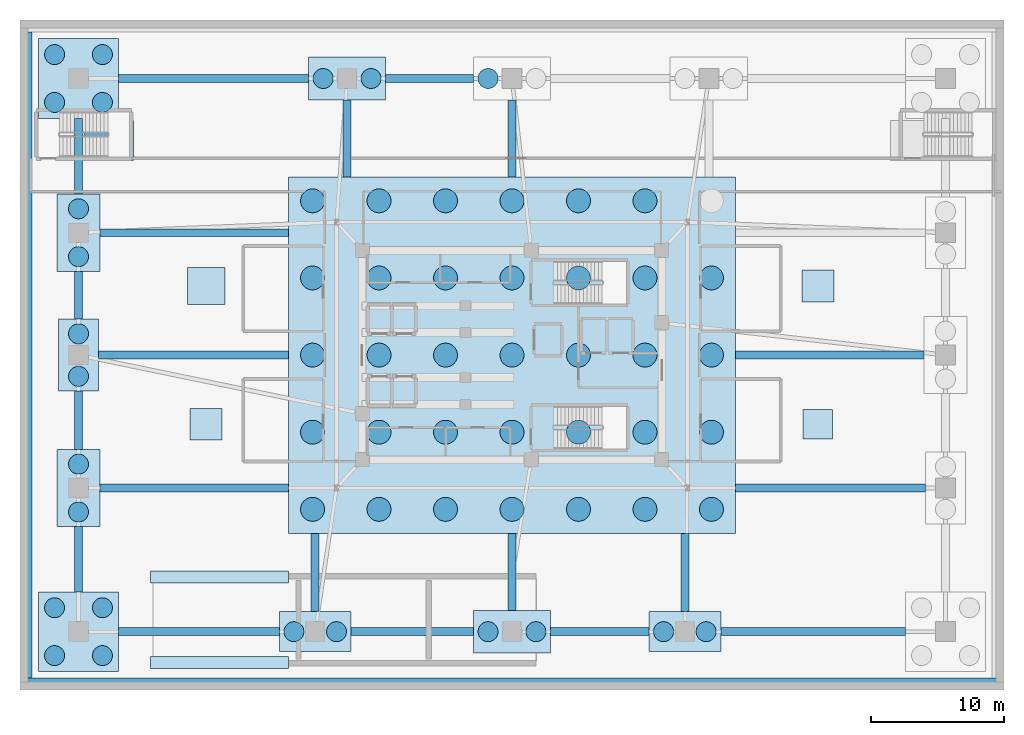
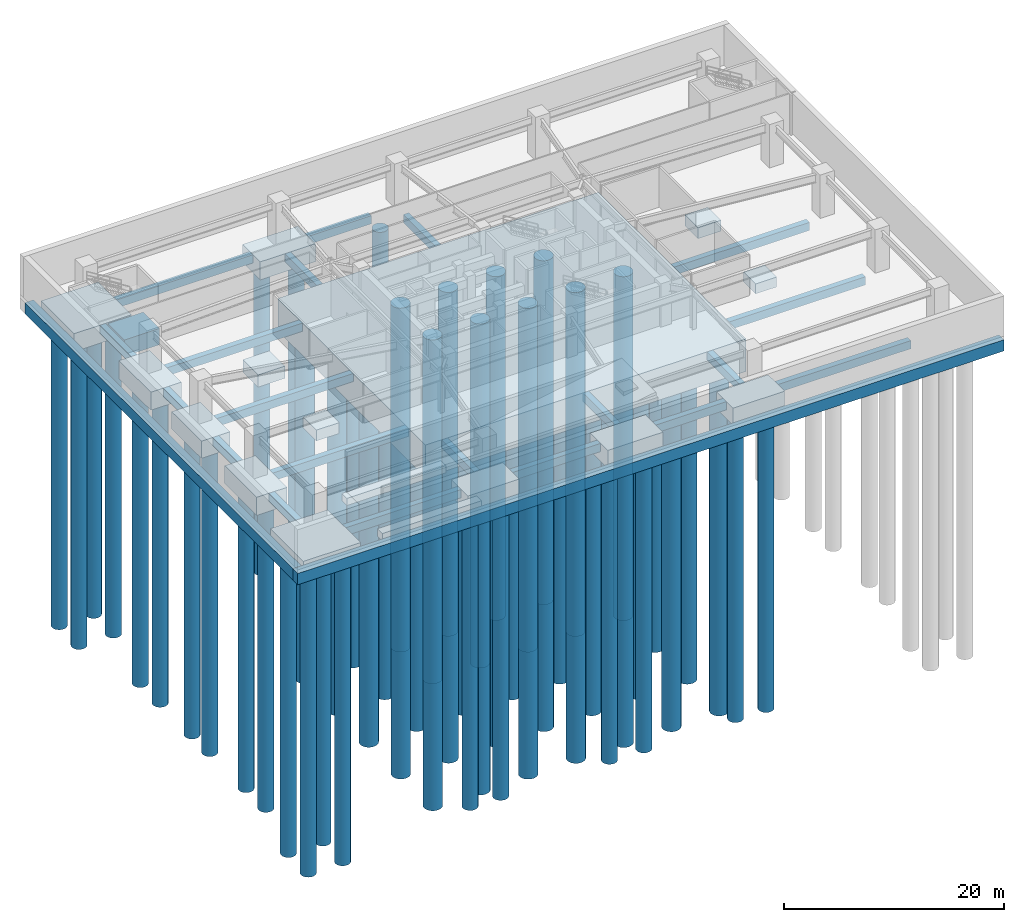
# One storey, part 1 of 8: 57 piles, 39 footings.
"""IFC4 building model written with IfcOpenShell, lengths in metres."""

import ifcopenshell
import ifcopenshell.guid

model = None  # the IFC model being written
_history = None  # IfcOwnerHistory: only IFC2X3 demands one
_inside = {}  # id of a spatial element -> (the spatial element, [elements in it])
_under = {}  # id of a project, library or spatial element -> (it, [spatial elements below it])
_declared = {}  # id of a project -> (the project, [libraries it declares])
_typed = {}  # id of a type object -> (the type object, [elements of that type])
_made_of = {}  # id of a material, layer set ... -> (it, [elements and type objects made of it])


def new_model(schema):
    """Start an empty IFC model of exactly this schema.

    Asked for "IFC4X3", IfcOpenShell would pick the latest addendum, in which some entities
    have other attributes; the version numbers below select the first issue.
    IFC2X3 requires an IfcOwnerHistory on every rooted entity: one is made here for all.
    """
    global model, _history
    if schema == "IFC4X3":
        model = ifcopenshell.file(schema_version=(4, 3, 0, 0))
    else:
        model = ifcopenshell.file(schema=schema)
    _inside.clear()
    _under.clear()
    _declared.clear()
    _typed.clear()
    _made_of.clear()
    _history = None
    if model.schema == "IFC2X3":
        org = make("IfcOrganization", Name="unknown")
        user = make(
            "IfcPersonAndOrganization",
            ThePerson=make("IfcPerson", FamilyName="unknown"),
            TheOrganization=org,
        )
        app = make(
            "IfcApplication",
            ApplicationDeveloper=org,
            Version="unknown",
            ApplicationFullName="unknown",
            ApplicationIdentifier="unknown",
        )
        _history = make(
            "IfcOwnerHistory",
            OwningUser=user,
            OwningApplication=app,
            ChangeAction="ADDED",
            CreationDate=0,
        )
    return model


def make(cls, **values):
    """One entity of the class cls with the attributes given. An attribute that is None is left unset."""
    return model.create_entity(
        cls, **{name: value for name, value in values.items() if value is not None}
    )


def rooted(cls, **values):
    """An entity with a GlobalId (a new one), such as an element, a storey or a relation."""
    return make(cls, GlobalId=ifcopenshell.guid.new(), OwnerHistory=_history, **values)


def si_unit(unit_type, name, prefix=None):
    """IfcSIUnit, for example si_unit("LENGTHUNIT", "METRE", prefix="MILLI")."""
    return make("IfcSIUnit", UnitType=unit_type, Prefix=prefix, Name=name)


def assignment(units):
    """IfcUnitAssignment: the units of a project."""
    return None if units is None else make("IfcUnitAssignment", Units=units)


def point(xyz):
    """IfcCartesianPoint."""
    return None if xyz is None else make("IfcCartesianPoint", Coordinates=xyz)


def direction(xyz):
    """IfcDirection."""
    return None if xyz is None else make("IfcDirection", DirectionRatios=xyz)


def frame(location, z_axis=None, x_axis=None):
    """IfcAxis2Placement3D, a coordinate frame: its origin and axes. An axis left out is left unset."""
    return make(
        "IfcAxis2Placement3D",
        Location=point(location),
        Axis=direction(z_axis),
        RefDirection=direction(x_axis),
    )


def frame_2d(location, x_axis=None):
    """IfcAxis2Placement2D, a coordinate frame in the plane: its origin and x axis."""
    return make(
        "IfcAxis2Placement2D", Location=point(location), RefDirection=direction(x_axis)
    )


def origin():
    """The frame at (0, 0, 0) with its axes left unset."""
    return frame((0.0, 0.0, 0.0))


def origin_2d():
    """The frame at (0, 0) in the plane with its x axis left unset."""
    return frame_2d((0.0, 0.0))


def place(relative_to, where):
    """IfcLocalPlacement: puts the frame where relative to a parent placement (None: the world)."""
    return make(
        "IfcLocalPlacement", PlacementRelTo=relative_to, RelativePlacement=where
    )


def context(
    kind, dimensions, precision=None, world=None, true_north=None, identifier=None
):
    """IfcGeometricRepresentationContext, for example the 3D "Model" context."""
    return make(
        "IfcGeometricRepresentationContext",
        ContextIdentifier=identifier,
        ContextType=kind,
        CoordinateSpaceDimension=dimensions,
        Precision=precision,
        WorldCoordinateSystem=world,
        TrueNorth=true_north,
    )


def subcontext(parent, identifier, kind, view, scale=None):
    """IfcGeometricRepresentationSubContext, for example "Body" below "Model"."""
    return make(
        "IfcGeometricRepresentationSubContext",
        ContextIdentifier=identifier,
        ContextType=kind,
        ParentContext=parent,
        TargetScale=scale,
        TargetView=view,
    )


def project(units=None, contexts=None):
    """IfcProject with its units and contexts."""
    return rooted(
        "IfcProject",
        Name="project",
        RepresentationContexts=contexts,
        UnitsInContext=assignment(units),
    )


def spatial(cls, under=None, at=None, **own):
    """A site, building, storey or space (cls), placed at a placement, below another one or the project."""
    s = rooted(cls, ObjectPlacement=at, **own)
    if under is not None:
        _under.setdefault(under.id(), (under, []))[1].append(s)
    return s


def polyline(points):
    """IfcPolyline through the points."""
    return make("IfcPolyline", Points=[point(p) for p in points])


def profile(cls, at=None, kind="AREA", **sizes):
    """A parametric profile (cls). Its sizes go by their IFC names, for example OverallWidth=200.0."""
    return make(cls, ProfileType=kind, Position=at, **sizes)


def rectangle(**sizes):
    """IfcRectangleProfileDef."""
    return profile("IfcRectangleProfileDef", **sizes)


def circle(**sizes):
    """IfcCircleProfileDef."""
    return profile("IfcCircleProfileDef", **sizes)


def outline(outer, holes=None, kind="AREA"):
    """IfcArbitraryClosedProfileDef: a profile drawn as a closed curve; with holes, ...WithVoids."""
    if holes is None:
        return make("IfcArbitraryClosedProfileDef", ProfileType=kind, OuterCurve=outer)
    return make(
        "IfcArbitraryProfileDefWithVoids",
        ProfileType=kind,
        OuterCurve=outer,
        InnerCurves=holes,
    )


def extrude(swept, where, along, depth):
    """IfcExtrudedAreaSolid: the profile swept, set in the frame where, extruded along a direction by depth."""
    return make(
        "IfcExtrudedAreaSolid",
        SweptArea=swept,
        Position=where,
        ExtrudedDirection=direction(along),
        Depth=depth,
    )


def shape(context_of_items, identifier, shape_type, items):
    """IfcShapeRepresentation: the items that make up one representation, for example the "Body"."""
    return make(
        "IfcShapeRepresentation",
        ContextOfItems=context_of_items,
        RepresentationIdentifier=identifier,
        RepresentationType=shape_type,
        Items=items,
    )


def material(Name=None, Category=None):
    """IfcMaterial."""
    return make("IfcMaterial", Name=Name, Category=Category)


def layer(
    of_material, thickness, ventilated=None, Name=None, Category=None, Priority=None
):
    """IfcMaterialLayer: one layer of a wall or slab, of a material (None: an air gap)."""
    return make(
        "IfcMaterialLayer",
        Material=of_material,
        LayerThickness=thickness,
        IsVentilated=ventilated,
        Name=Name,
        Category=Category,
        Priority=Priority,
    )


def layer_set(layers, Name=None):
    """IfcMaterialLayerSet."""
    return make("IfcMaterialLayerSet", MaterialLayers=layers, LayerSetName=Name)


def material_profile(
    of_material, cross_section, Name=None, Category=None, Priority=None
):
    """IfcMaterialProfile: a cross section and its material."""
    return make(
        "IfcMaterialProfile",
        Name=Name,
        Material=of_material,
        Profile=cross_section,
        Priority=Priority,
        Category=Category,
    )


def profile_set(profiles, Name=None, composite=None):
    """IfcMaterialProfileSet."""
    return make(
        "IfcMaterialProfileSet",
        Name=Name,
        MaterialProfiles=profiles,
        CompositeProfile=composite,
    )


def made_of(thing, what):
    """Note that an element or type object is made of a material, layer set ...; save() writes the relation."""
    if what is not None:
        _made_of.setdefault(what.id(), (what, []))[1].append(thing)
    return thing


def type_object(cls, material=None, **own):
    """A type object (cls), such as IfcWallType, which elements share."""
    return made_of(rooted(cls, **own), material)


def element(
    cls,
    number,
    at=None,
    inside=None,
    cuts=None,
    type_object=None,
    material=None,
    context=None,
    identifier="Body",
    shape_type=None,
    held_by="IfcProductDefinitionShape",
    body=None,
    shapes=None,
    **own,
):
    """One element of the class cls, such as IfcWall. Its Tag is "e" and its number.

    at: its placement. inside: the storey or other place that contains it. cuts: it is an
    opening in that element (IfcRelVoidsElement). A single representation is given by context,
    identifier, shape_type and body (its items); several are given by shapes. held_by: the class
    of the entity that holds the representations. save() writes the other relations.
    """
    e = rooted(cls, Tag="e%d" % number, ObjectPlacement=at, **own)
    if body is not None:
        shapes = [shape(context, identifier, shape_type, body)]
    if shapes is not None:
        e.Representation = make(held_by, Representations=shapes)
    if inside is not None:
        _inside.setdefault(inside.id(), (inside, []))[1].append(e)
    if cuts is not None:
        rooted(
            "IfcRelVoidsElement", RelatingBuildingElement=cuts, RelatedOpeningElement=e
        )
    if type_object is not None:
        _typed.setdefault(type_object.id(), (type_object, []))[1].append(e)
    return made_of(e, material)


def aggregate(whole, parts):
    """IfcRelAggregates: a whole, such as a stair, and the parts it consists of."""
    return rooted("IfcRelAggregates", RelatingObject=whole, RelatedObjects=parts)


def save(model, path):
    """Write the relations noted so far, then the file.

    IfcRelAggregates (storeys below a building ...), IfcRelContainedInSpatialStructure (elements
    in a storey), IfcRelDefinesByType, IfcRelAssociatesMaterial and IfcRelDeclares: one each for
    every whole, place, type object, material and project.
    """
    for whole, parts in _under.values():
        aggregate(whole, parts)
    for where, things in _inside.values():
        rooted(
            "IfcRelContainedInSpatialStructure",
            RelatedElements=things,
            RelatingStructure=where,
        )
    for kind, things in _typed.values():
        rooted("IfcRelDefinesByType", RelatedObjects=things, RelatingType=kind)
    for what, things in _made_of.values():
        rooted("IfcRelAssociatesMaterial", RelatedObjects=things, RelatingMaterial=what)
    for by, libraries in _declared.values():
        rooted("IfcRelDeclares", RelatingContext=by, RelatedDefinitions=libraries)
    model.write(path)


model = new_model("IFC4")

# Units and contexts
model_context = context("Model", 3, precision=1e-05, world=origin(), true_north=direction((0.0, 1.0)))
body_context = subcontext(model_context, "Body", "Model", "MODEL_VIEW")
ifc_project = project(units=[si_unit("LENGTHUNIT", "METRE"), si_unit("AREAUNIT", "SQUARE_METRE"), si_unit("VOLUMEUNIT", "CUBIC_METRE"), si_unit("PLANEANGLEUNIT", "RADIAN"), si_unit("MASSUNIT", "GRAM", prefix="KILO")], contexts=[model_context])

# Site, building, storey
site_placement = place(None, origin())
site = spatial("IfcSite", under=ifc_project, at=site_placement, CompositionType="ELEMENT")
building_placement = place(site_placement, origin())
building = spatial("IfcBuilding", under=site, at=building_placement, Name="Zulverin Broadcast Headquarters", CompositionType="ELEMENT")
storey_placement = place(building_placement, frame((0.0, 0.0, -9.60009765625)))
storey = spatial("IfcBuildingStorey", under=building, at=storey_placement, Name="B2", CompositionType="ELEMENT", Elevation=-9.60009765625)

# Footings
ifc_material = material(Name="Concrete C50/60", Category="concrete")
ifc_layer_1 = layer(ifc_material, 1.199951171875, Name="Concrete C50/60", Category="concrete")
ifc_layer_set_1 = layer_set([ifc_layer_1], Name="Concrete C50/60")
footing_type_1 = type_object("IfcFootingType", Name="FTG-PAD-01", PredefinedType="PAD_FOOTING", material=ifc_layer_set_1)
footing_1_placement = place(storey_placement, frame((0.0, 0.0, -1.599853515625)))
element("IfcFooting", 1, at=footing_1_placement, inside=storey, type_object=footing_type_1, Name="Substructure Pad Footing PF01", PredefinedType="PAD_FOOTING", context=body_context, shape_type="SweptSolid", body=[
    extrude(outline(polyline([(12.800048828125, 18.800048828125), (15.199951171875, 18.800048828125), (15.199951171875, 21.199951171875), (12.800048828125, 21.199951171875), (12.800048828125, 18.800048828125)])), origin(), (0.0, 0.0, 1.0), 1.199951171875),
])
footing_2_placement = place(storey_placement, frame((0.0, 0.0, -1.599853515625)))
element("IfcFooting", 2, at=footing_2_placement, inside=storey, type_object=footing_type_1, Name="Substructure Pad Footing PF04", PredefinedType="PAD_FOOTING", context=body_context, shape_type="SweptSolid", body=[
    extrude(outline(polyline([(58.800048828125, 29.199951171875), (61.199951171875, 29.199951171875), (61.199951171875, 31.60009765625), (58.800048828125, 31.60009765625), (58.800048828125, 29.199951171875)])), origin(), (0.0, 0.0, 1.0), 1.199951171875),
])
ifc_layer_2 = layer(ifc_material, 1.35009765625, Name="Concrete C50/60", Category="concrete")
ifc_layer_set_2 = layer_set([ifc_layer_2], Name="Concrete C50/60")
footing_type_2 = type_object("IfcFootingType", Name="FTG-PAD-03", PredefinedType="PAD_FOOTING", material=ifc_layer_set_2)
footing_3_placement = place(storey_placement, frame((0.0, 0.0, -1.75)))
element("IfcFooting", 3, at=footing_3_placement, inside=storey, type_object=footing_type_2, Name="Substructure Pad Footing PF02", PredefinedType="PAD_FOOTING", context=body_context, shape_type="SweptSolid", body=[
    extrude(outline(polyline([(12.60009765625, 29.0), (15.39990234375, 29.0), (15.39990234375, 31.800048828125), (12.60009765625, 31.800048828125), (12.60009765625, 29.0)])), origin(), (0.0, 0.0, 1.0), 1.35009765625),
])
ifc_layer_3 = layer(ifc_material, 1.10009765625, Name="Concrete C50/60", Category="concrete")
ifc_layer_set_3 = layer_set([ifc_layer_3], Name="Concrete C50/60")
footing_type_3 = type_object("IfcFootingType", Name="FTG-PAD-04", PredefinedType="PAD_FOOTING", material=ifc_layer_set_3)
footing_4_placement = place(storey_placement, frame((0.0, 0.0, -1.5)))
element("IfcFooting", 4, at=footing_4_placement, inside=storey, type_object=footing_type_3, Name="Substructure Pad Footing PF03", PredefinedType="PAD_FOOTING", context=body_context, shape_type="SweptSolid", body=[
    extrude(outline(polyline([(58.89990234375, 18.89990234375), (61.10009765625, 18.89990234375), (61.10009765625, 21.10009765625), (58.89990234375, 21.10009765625), (58.89990234375, 18.89990234375)])), origin(), (0.0, 0.0, 1.0), 1.10009765625),
])
ifc_layer_4 = layer(ifc_material, 2.0, Name="Concrete C50/60", Category="concrete")
ifc_layer_set_4 = layer_set([ifc_layer_4], Name="Concrete C50/60")
footing_type_4 = type_object("IfcFootingType", Name="FTG-PC-01", PredefinedType="PILE_CAP", material=ifc_layer_set_4)
footing_5_placement = place(storey_placement, frame((0.0, 0.0, -2.39990234375)))
element("IfcFooting", 5, at=footing_5_placement, inside=storey, type_object=footing_type_4, Name="Podium Pile Cap P01", PredefinedType="PILE_CAP", context=body_context, shape_type="SweptSolid", body=[
    extrude(outline(polyline([(1.39990234375, 1.39990234375), (7.39990234375, 1.39990234375), (7.39990234375, 7.39990234375), (1.39990234375, 7.39990234375), (1.39990234375, 1.39990234375)])), origin(), (0.0, 0.0, 1.0), 2.0),
])
footing_6_placement = place(storey_placement, frame((0.0, 0.0, -2.39990234375)))
element("IfcFooting", 6, at=footing_6_placement, inside=storey, type_object=footing_type_4, Name="Podium Pile Cap P06", PredefinedType="PILE_CAP", context=body_context, shape_type="SweptSolid", body=[
    extrude(outline(polyline([(1.39990234375, 43.0), (7.39990234375, 43.0), (7.39990234375, 49.0), (1.39990234375, 49.0), (1.39990234375, 43.0)])), origin(), (0.0, 0.0, 1.0), 2.0),
])
ifc_layer_5 = layer(ifc_material, 2.0, Name="Concrete C50/60", Category="concrete")
ifc_layer_set_5 = layer_set([ifc_layer_5], Name="Concrete C50/60")
footing_type_5 = type_object("IfcFootingType", Name="FTG-PC-02", PredefinedType="PILE_CAP", material=ifc_layer_set_5)
footing_7_placement = place(storey_placement, frame((0.0, 0.0, -2.39990234375)))
element("IfcFooting", 7, at=footing_7_placement, inside=storey, type_object=footing_type_5, Name="Podium Pile Cap P03", PredefinedType="PILE_CAP", context=body_context, shape_type="SweptSolid", body=[
    extrude(outline(polyline([(34.10009765625, 2.800048828125), (39.89990234375, 2.800048828125), (39.89990234375, 6.0), (34.10009765625, 6.0), (34.10009765625, 2.800048828125)])), origin(), (0.0, 0.0, 1.0), 2.0),
])
footing_8_placement = place(storey_placement, frame((0.0, 0.0, -2.39990234375)))
element("IfcFooting", 8, at=footing_8_placement, inside=storey, type_object=footing_type_5, Name="Podium Pile Cap P07", PredefinedType="PILE_CAP", context=body_context, shape_type="SweptSolid", body=[
    extrude(outline(polyline([(21.699951171875, 44.39990234375), (27.5, 44.39990234375), (27.5, 47.60009765625), (21.699951171875, 47.60009765625), (21.699951171875, 44.39990234375)])), origin(), (0.0, 0.0, 1.0), 2.0),
])
ifc_layer_6 = layer(ifc_material, 2.0, Name="Concrete C50/60", Category="concrete")
ifc_layer_set_6 = layer_set([ifc_layer_6], Name="Concrete C50/60")
footing_type_6 = type_object("IfcFootingType", Name="FTG-PC-03", PredefinedType="PILE_CAP", material=ifc_layer_set_6)
footing_9_placement = place(storey_placement, frame((0.0, 0.0, -2.39990234375)))
element("IfcFooting", 9, at=footing_9_placement, inside=storey, type_object=footing_type_6, Name="Podium Pile Cap P11", PredefinedType="PILE_CAP", context=body_context, shape_type="SweptSolid", body=[
    extrude(outline(polyline([(2.800048828125, 12.300048828125), (6.0, 12.300048828125), (6.0, 18.10009765625), (2.800048828125, 18.10009765625), (2.800048828125, 12.300048828125)])), origin(), (0.0, 0.0, 1.0), 2.0),
])
footing_10_placement = place(storey_placement, frame((0.0, 0.0, -2.39990234375)))
element("IfcFooting", 10, at=footing_10_placement, inside=storey, type_object=footing_type_6, Name="Podium Pile Cap P13", PredefinedType="PILE_CAP", context=body_context, shape_type="SweptSolid", body=[
    extrude(outline(polyline([(2.800048828125, 31.5), (6.0, 31.5), (6.0, 37.300048828125), (2.800048828125, 37.300048828125), (2.800048828125, 31.5)])), origin(), (0.0, 0.0, 1.0), 2.0),
])
ifc_layer_7 = layer(ifc_material, 1.89990234375, Name="Concrete C50/60", Category="concrete")
ifc_layer_set_7 = layer_set([ifc_layer_7], Name="Concrete C50/60")
footing_type_7 = type_object("IfcFootingType", Name="FTG-PC-04", PredefinedType="PILE_CAP", material=ifc_layer_set_7)
footing_11_placement = place(storey_placement, frame((0.0, 0.0, -2.2998046875)))
element("IfcFooting", 11, at=footing_11_placement, inside=storey, type_object=footing_type_7, Name="Podium Pile Cap P02", PredefinedType="PILE_CAP", context=body_context, shape_type="SweptSolid", body=[
    extrude(outline(polyline([(19.5, 2.89990234375), (24.89990234375, 2.89990234375), (24.89990234375, 5.89990234375), (19.5, 5.89990234375), (19.5, 2.89990234375)])), origin(), (0.0, 0.0, 1.0), 1.89990234375),
])
footing_12_placement = place(storey_placement, frame((0.0, 0.0, -2.2998046875)))
element("IfcFooting", 12, at=footing_12_placement, inside=storey, type_object=footing_type_7, Name="Podium Pile Cap P04", PredefinedType="PILE_CAP", context=body_context, shape_type="SweptSolid", body=[
    extrude(outline(polyline([(47.300048828125, 2.89990234375), (52.699951171875, 2.89990234375), (52.699951171875, 5.89990234375), (47.300048828125, 5.89990234375), (47.300048828125, 2.89990234375)])), origin(), (0.0, 0.0, 1.0), 1.89990234375),
])
ifc_layer_8 = layer(ifc_material, 1.89990234375, Name="Concrete C50/60", Category="concrete")
ifc_layer_set_8 = layer_set([ifc_layer_8], Name="Concrete C50/60")
footing_type_8 = type_object("IfcFootingType", Name="FTG-PC-05", PredefinedType="PILE_CAP", material=ifc_layer_set_8)
footing_13_placement = place(storey_placement, frame((0.0, 0.0, -2.2998046875)))
element("IfcFooting", 13, at=footing_13_placement, inside=storey, type_object=footing_type_8, Name="Podium Pile Cap P12", PredefinedType="PILE_CAP", context=body_context, shape_type="SweptSolid", body=[
    extrude(outline(polyline([(2.89990234375, 22.5), (5.89990234375, 22.5), (5.89990234375, 27.89990234375), (2.89990234375, 27.89990234375), (2.89990234375, 22.5)])), origin(), (0.0, 0.0, 1.0), 1.89990234375),
])
ifc_layer_9 = layer(ifc_material, 1.800048828125, Name="Concrete C50/60", Category="concrete")
ifc_layer_set_9 = layer_set([ifc_layer_9], Name="Concrete C50/60")
footing_type_9 = type_object("IfcFootingType", Name="FTG-PC-06", PredefinedType="PILE_CAP", material=ifc_layer_set_9)
footing_14_placement = place(storey_placement, frame((0.0, 0.0, -2.199951171875)))
element("IfcFooting", 14, at=footing_14_placement, inside=storey, type_object=footing_type_9, Name="ST-3 Stairwell Mat Footing", PredefinedType="PILE_CAP", context=body_context, shape_type="SweptSolid", body=[
    extrude(outline(polyline([(4.85009765625, 39.85009765625), (8.550048828125, 39.85009765625), (8.550048828125, 42.85009765625), (4.85009765625, 42.85009765625), (4.85009765625, 39.85009765625)])), origin(), (0.0, 0.0, 1.0), 1.800048828125),
])
ifc_layer_10 = layer(ifc_material, 3.60009765625, Name="Concrete C50/60", Category="concrete")
ifc_layer_set_10 = layer_set([ifc_layer_10], Name="Concrete C50/60")
footing_type_10 = type_object("IfcFootingType", Name="FTG-RAFT-3600", PredefinedType="CAISSON_FOUNDATION", material=ifc_layer_set_10)
footing_15_placement = place(storey_placement, frame((0.0, 0.0, -4.0)))
element("IfcFooting", 15, at=footing_15_placement, inside=storey, type_object=footing_type_10, Name="Central Tower Piled Raft RF-1", PredefinedType="CAISSON_FOUNDATION", context=body_context, shape_type="SweptSolid", body=[
    extrude(outline(polyline([(20.199951171875, 11.800048828125), (53.800048828125, 11.800048828125), (53.800048828125, 38.60009765625), (20.199951171875, 38.60009765625), (20.199951171875, 11.800048828125)])), origin(), (0.0, 0.0, 1.0), 3.60009765625),
])
ifc_layer_11 = layer(ifc_material, 1.25, Name="Concrete C50/60", Category="concrete")
ifc_layer_set_11 = layer_set([ifc_layer_11], Name="Concrete C50/60")
footing_type_11 = type_object("IfcFootingType", Name="FTG-SF-74000x900x1250", PredefinedType="STRIP_FOOTING", material=ifc_layer_set_11)
footing_16_placement = place(storey_placement, frame((0.0, 0.0, -1.64990234375)))
element("IfcFooting", 16, at=footing_16_placement, inside=storey, type_object=footing_type_11, Name="Retaining Wall Strip Footing SF-01", PredefinedType="STRIP_FOOTING", context=body_context, shape_type="SweptSolid", body=[
    extrude(outline(polyline([(0.0, 0.0), (74.0, 0.0), (74.0, 0.89990234375), (0.0, 0.89990234375), (0.0, 0.0)])), origin(), (0.0, 0.0, 1.0), 1.25),
])
ifc_layer_12 = layer(ifc_material, 1.25, Name="Concrete C50/60", Category="concrete")
ifc_layer_set_12 = layer_set([ifc_layer_12], Name="Concrete C50/60")
footing_type_12 = type_object("IfcFootingType", Name="FTG-SF-900x48600x1250", PredefinedType="STRIP_FOOTING", material=ifc_layer_set_12)
footing_17_placement = place(storey_placement, frame((0.0, 0.0, -1.64990234375)))
element("IfcFooting", 17, at=footing_17_placement, inside=storey, type_object=footing_type_12, Name="Retaining Wall Strip Footing SF-03", PredefinedType="STRIP_FOOTING", context=body_context, shape_type="SweptSolid", body=[
    extrude(outline(polyline([(0.0, 0.89990234375), (0.89990234375, 0.89990234375), (0.89990234375, 49.5), (0.0, 49.5), (0.0, 0.89990234375)])), origin(), (0.0, 0.0, 1.0), 1.25),
])
ifc_layer_13 = layer(ifc_material, 0.800048828125, Name="Concrete C50/60", Category="concrete")
ifc_layer_set_13 = layer_set([ifc_layer_13], Name="Concrete C50/60")
footing_type_13 = type_object("IfcFootingType", Name="FTG-SF-900x800", PredefinedType="STRIP_FOOTING", material=ifc_layer_set_13)
footing_18_placement = place(storey_placement, frame((0.0, 0.0, -1.199951171875)))
element("IfcFooting", 18, at=footing_18_placement, inside=storey, type_object=footing_type_13, Name="B2 Ramp R1 Strip Footing S", PredefinedType="STRIP_FOOTING", context=body_context, shape_type="SweptSolid", body=[
    extrude(outline(polyline([(9.800048828125, 1.6298828125), (20.199951171875, 1.6298828125), (20.199951171875, 2.530029296875), (9.800048828125, 2.530029296875), (9.800048828125, 1.6298828125)])), origin(), (0.0, 0.0, 1.0), 0.800048828125),
])
footing_19_placement = place(storey_placement, frame((0.0, 0.0, -1.199951171875)))
element("IfcFooting", 19, at=footing_19_placement, inside=storey, type_object=footing_type_13, Name="B2 Ramp R1 Strip Footing N", PredefinedType="STRIP_FOOTING", context=body_context, shape_type="SweptSolid", body=[
    extrude(outline(polyline([(9.800048828125, 8.070068359375), (20.199951171875, 8.070068359375), (20.199951171875, 8.969970703125), (9.800048828125, 8.969970703125), (9.800048828125, 8.070068359375)])), origin(), (0.0, 0.0, 1.0), 0.800048828125),
])
ifc_material_profile_1 = material_profile(ifc_material, rectangle(XDim=0.60009765625, YDim=0.89990234375, at=origin_2d()), Name="Concrete C50/60", Category="concrete")
ifc_profile_set_1 = profile_set([ifc_material_profile_1], Name="Concrete C50/60")
footing_type_14 = type_object("IfcFootingType", Name="FTG-TB-600x900", PredefinedType="FOOTING_BEAM", material=ifc_profile_set_1)
footing_20_placement = place(storey_placement, frame((7.39990234375, 4.39990234375, -0.849853515625), z_axis=(1.0, 0.0, 0.0), x_axis=(0.0, 1.0, 0.0)))
element("IfcFooting", 20, at=footing_20_placement, inside=storey, type_object=footing_type_14, Name="Foundation Tie Beam TB-01", PredefinedType="FOOTING_BEAM", context=body_context, shape_type="SweptSolid", body=[
    extrude(rectangle(XDim=0.60009765625, YDim=0.89990234375, at=origin_2d()), origin(), (0.0, 0.0, 1.0), 12.10009765625),
])
footing_21_placement = place(storey_placement, frame((24.89990234375, 4.39990234375, -0.849853515625), z_axis=(1.0, 0.0, 0.0), x_axis=(0.0, 1.0, 0.0)))
element("IfcFooting", 21, at=footing_21_placement, inside=storey, type_object=footing_type_14, Name="Foundation Tie Beam TB-02", PredefinedType="FOOTING_BEAM", context=body_context, shape_type="SweptSolid", body=[
    extrude(rectangle(XDim=0.60009765625, YDim=0.89990234375, at=origin_2d()), origin(), (0.0, 0.0, 1.0), 9.2001953125),
])
footing_22_placement = place(storey_placement, frame((39.89990234375, 4.39990234375, -0.849853515625), z_axis=(1.0, 0.0, 0.0), x_axis=(0.0, 1.0, 0.0)))
element("IfcFooting", 22, at=footing_22_placement, inside=storey, type_object=footing_type_14, Name="Foundation Tie Beam TB-03", PredefinedType="FOOTING_BEAM", context=body_context, shape_type="SweptSolid", body=[
    extrude(rectangle(XDim=0.60009765625, YDim=0.89990234375, at=origin_2d()), origin(), (0.0, 0.0, 1.0), 7.400146484375),
])
footing_23_placement = place(storey_placement, frame((52.699951171875, 4.39990234375, -0.849853515625), z_axis=(1.0, 0.0, 0.0), x_axis=(0.0, 1.0, 0.0)))
element("IfcFooting", 23, at=footing_23_placement, inside=storey, type_object=footing_type_14, Name="Foundation Tie Beam TB-04", PredefinedType="FOOTING_BEAM", context=body_context, shape_type="SweptSolid", body=[
    extrude(rectangle(XDim=0.60009765625, YDim=0.89990234375, at=origin_2d()), origin(), (0.0, 0.0, 1.0), 13.900146484375),
])
footing_24_placement = place(storey_placement, frame((7.39990234375, 46.0, -0.849853515625), z_axis=(1.0, 0.0, 0.0), x_axis=(0.0, 1.0, 0.0)))
element("IfcFooting", 24, at=footing_24_placement, inside=storey, type_object=footing_type_14, Name="Foundation Tie Beam TB-05", PredefinedType="FOOTING_BEAM", context=body_context, shape_type="SweptSolid", body=[
    extrude(rectangle(XDim=0.60009765625, YDim=0.89990234375, at=origin_2d()), origin(), (0.0, 0.0, 1.0), 14.300048828125),
])
footing_25_placement = place(storey_placement, frame((27.5, 46.0, -0.849853515625), z_axis=(1.0, 0.0, 0.0), x_axis=(0.0, 1.0, 0.0)))
element("IfcFooting", 25, at=footing_25_placement, inside=storey, type_object=footing_type_14, Name="Foundation Tie Beam TB-06", PredefinedType="FOOTING_BEAM", context=body_context, shape_type="SweptSolid", body=[
    extrude(rectangle(XDim=0.60009765625, YDim=0.89990234375, at=origin_2d()), origin(), (0.0, 0.0, 1.0), 6.60009765625),
])
footing_26_placement = place(storey_placement, frame((4.39990234375, 7.39990234375, -0.849853515625), z_axis=(0.0, 1.0, 0.0), x_axis=(-1.0, 0.0, 0.0)))
element("IfcFooting", 26, at=footing_26_placement, inside=storey, type_object=footing_type_14, Name="Foundation Tie Beam TB-09", PredefinedType="FOOTING_BEAM", context=body_context, shape_type="SweptSolid", body=[
    extrude(rectangle(XDim=0.60009765625, YDim=0.89990234375, at=origin_2d()), origin(), (0.0, 0.0, 1.0), 4.900146484375),
])
footing_27_placement = place(storey_placement, frame((4.39990234375, 18.10009765625, -0.849853515625), z_axis=(0.0, 1.0, 0.0), x_axis=(-1.0, 0.0, 0.0)))
element("IfcFooting", 27, at=footing_27_placement, inside=storey, type_object=footing_type_14, Name="Foundation Tie Beam TB-10", PredefinedType="FOOTING_BEAM", context=body_context, shape_type="SweptSolid", body=[
    extrude(rectangle(XDim=0.60009765625, YDim=0.89990234375, at=origin_2d()), origin(), (0.0, 0.0, 1.0), 4.39990234375),
])
footing_28_placement = place(storey_placement, frame((4.39990234375, 27.89990234375, -0.849853515625), z_axis=(0.0, 1.0, 0.0), x_axis=(-1.0, 0.0, 0.0)))
element("IfcFooting", 28, at=footing_28_placement, inside=storey, type_object=footing_type_14, Name="Foundation Tie Beam TB-11", PredefinedType="FOOTING_BEAM", context=body_context, shape_type="SweptSolid", body=[
    extrude(rectangle(XDim=0.60009765625, YDim=0.89990234375, at=origin_2d()), origin(), (0.0, 0.0, 1.0), 3.60009765625),
])
footing_29_placement = place(storey_placement, frame((4.39990234375, 37.300048828125, -0.849853515625), z_axis=(0.0, 1.0, 0.0), x_axis=(-1.0, 0.0, 0.0)))
element("IfcFooting", 29, at=footing_29_placement, inside=storey, type_object=footing_type_14, Name="Foundation Tie Beam TB-12", PredefinedType="FOOTING_BEAM", context=body_context, shape_type="SweptSolid", body=[
    extrude(rectangle(XDim=0.60009765625, YDim=0.89990234375, at=origin_2d()), origin(), (0.0, 0.0, 1.0), 5.699951171875),
])
footing_30_placement = place(storey_placement, frame((22.199951171875, 5.89990234375, -0.849853515625), z_axis=(0.0, 1.0, 0.0), x_axis=(-1.0, 0.0, 0.0)))
element("IfcFooting", 30, at=footing_30_placement, inside=storey, type_object=footing_type_14, Name="Foundation Tie Beam TB-17", PredefinedType="FOOTING_BEAM", context=body_context, shape_type="SweptSolid", body=[
    extrude(rectangle(XDim=0.60009765625, YDim=0.89990234375, at=origin_2d()), origin(), (0.0, 0.0, 1.0), 5.900146484375),
])
footing_31_placement = place(storey_placement, frame((37.0, 6.0, -0.849853515625), z_axis=(0.0, 1.0, 0.0), x_axis=(-1.0, 0.0, 0.0)))
element("IfcFooting", 31, at=footing_31_placement, inside=storey, type_object=footing_type_14, Name="Foundation Tie Beam TB-18", PredefinedType="FOOTING_BEAM", context=body_context, shape_type="SweptSolid", body=[
    extrude(rectangle(XDim=0.60009765625, YDim=0.89990234375, at=origin_2d()), origin(), (0.0, 0.0, 1.0), 5.800048828125),
])
footing_32_placement = place(storey_placement, frame((50.0, 5.89990234375, -0.849853515625), z_axis=(0.0, 1.0, 0.0), x_axis=(-1.0, 0.0, 0.0)))
element("IfcFooting", 32, at=footing_32_placement, inside=storey, type_object=footing_type_14, Name="Foundation Tie Beam TB-19", PredefinedType="FOOTING_BEAM", context=body_context, shape_type="SweptSolid", body=[
    extrude(rectangle(XDim=0.60009765625, YDim=0.89990234375, at=origin_2d()), origin(), (0.0, 0.0, 1.0), 5.900146484375),
])
for number, where, z_axis, x_axis, name in (
    (33, (24.60009765625, 38.60009765625, -0.849853515625), (0.0, 1.0, 0.0), (-1.0, 0.0, 0.0), "Foundation Tie Beam TB-20"),
    (34, (37.0, 38.60009765625, -0.849853515625), (0.0, 1.0, 0.0), (-1.0, 0.0, 0.0), "Foundation Tie Beam TB-21"),
):
    element("IfcFooting", number, at=place(storey_placement, frame(where, z_axis=z_axis, x_axis=x_axis)), inside=storey, type_object=footing_type_14, Name=name, PredefinedType="FOOTING_BEAM", context=body_context, shape_type="SweptSolid", body=[
        extrude(rectangle(XDim=0.60009765625, YDim=0.89990234375, at=origin_2d()), origin(), (0.0, 0.0, 1.0), 5.7998046875),
    ])
footing_33_placement = place(storey_placement, frame((6.0, 15.199951171875, -0.849853515625), z_axis=(1.0, 0.0, 0.0), x_axis=(0.0, 1.0, 0.0)))
element("IfcFooting", 35, at=footing_33_placement, inside=storey, type_object=footing_type_14, Name="Foundation Tie Beam TB-23", PredefinedType="FOOTING_BEAM", context=body_context, shape_type="SweptSolid", body=[
    extrude(rectangle(XDim=0.60009765625, YDim=0.89990234375, at=origin_2d()), origin(), (0.0, 0.0, 1.0), 14.199951171875),
])
footing_34_placement = place(storey_placement, frame((5.89990234375, 25.199951171875, -0.849853515625), z_axis=(1.0, 0.0, 0.0), x_axis=(0.0, 1.0, 0.0)))
element("IfcFooting", 36, at=footing_34_placement, inside=storey, type_object=footing_type_14, Name="Foundation Tie Beam TB-24", PredefinedType="FOOTING_BEAM", context=body_context, shape_type="SweptSolid", body=[
    extrude(rectangle(XDim=0.60009765625, YDim=0.89990234375, at=origin_2d()), origin(), (0.0, 0.0, 1.0), 14.300048828125),
])
footing_35_placement = place(storey_placement, frame((6.0, 34.39990234375, -0.849853515625), z_axis=(1.0, 0.0, 0.0), x_axis=(0.0, 1.0, 0.0)))
element("IfcFooting", 37, at=footing_35_placement, inside=storey, type_object=footing_type_14, Name="Foundation Tie Beam TB-25", PredefinedType="FOOTING_BEAM", context=body_context, shape_type="SweptSolid", body=[
    extrude(rectangle(XDim=0.60009765625, YDim=0.89990234375, at=origin_2d()), origin(), (0.0, 0.0, 1.0), 14.199951171875),
])
footing_36_placement = place(storey_placement, frame((53.800048828125, 15.199951171875, -0.849853515625), z_axis=(1.0, 0.0, 0.0), x_axis=(0.0, 1.0, 0.0)))
element("IfcFooting", 38, at=footing_36_placement, inside=storey, type_object=footing_type_14, Name="Foundation Tie Beam TB-26", PredefinedType="FOOTING_BEAM", context=body_context, shape_type="SweptSolid", body=[
    extrude(rectangle(XDim=0.60009765625, YDim=0.89990234375, at=origin_2d()), origin(), (0.0, 0.0, 1.0), 14.300048828125),
])
footing_37_placement = place(storey_placement, frame((53.800048828125, 25.199951171875, -0.849853515625), z_axis=(1.0, 0.0, 0.0), x_axis=(0.0, 1.0, 0.0)))
element("IfcFooting", 39, at=footing_37_placement, inside=storey, type_object=footing_type_14, Name="Foundation Tie Beam TB-27", PredefinedType="FOOTING_BEAM", context=body_context, shape_type="SweptSolid", body=[
    extrude(rectangle(XDim=0.60009765625, YDim=0.89990234375, at=origin_2d()), origin(), (0.0, 0.0, 1.0), 14.199951171875),
])

# Piles
ifc_material_profile_2 = material_profile(ifc_material, circle(Radius=0.75, at=origin_2d()), Name="Concrete C50/60", Category="concrete")
ifc_profile_set_2 = profile_set([ifc_material_profile_2], Name="Concrete C50/60")
pile_type_1 = type_object("IfcPileType", Name="PILE-D1500-C50", PredefinedType="SUPPORT", material=ifc_profile_set_2)
for number, where, z_axis, x_axis, name in (
    (40, (2.60009765625, 2.60009765625, -2.2998046875), (0.0, 0.0, -1.0), (1.0, 0.0, 0.0), "Podium Bored Pile P2-01"),
    (41, (6.199951171875, 2.60009765625, -2.2998046875), (0.0, 0.0, -1.0), (1.0, 0.0, 0.0), "Podium Bored Pile P2-02"),
    (42, (2.60009765625, 6.199951171875, -2.2998046875), (0.0, 0.0, -1.0), (1.0, 0.0, 0.0), "Podium Bored Pile P2-03"),
    (43, (6.199951171875, 6.199951171875, -2.2998046875), (0.0, 0.0, -1.0), (1.0, 0.0, 0.0), "Podium Bored Pile P2-04"),
):
    element("IfcPile", number, at=place(storey_placement, frame(where, z_axis=z_axis, x_axis=x_axis)), inside=storey, type_object=pile_type_1, Name=name, PredefinedType="SUPPORT", context=body_context, shape_type="SweptSolid", body=[
        extrude(circle(Radius=0.75, at=origin_2d()), origin(), (0.0, 0.0, 1.0), 33.699951171875),
    ])
for number, where, z_axis, x_axis, name in (
    (44, (20.60009765625, 4.39990234375, -2.199951171875), (0.0, 0.0, -1.0), (1.0, 0.0, 0.0), "Podium Bored Pile P2-05"),
    (45, (23.800048828125, 4.39990234375, -2.199951171875), (0.0, 0.0, -1.0), (1.0, 0.0, 0.0), "Podium Bored Pile P2-06"),
):
    element("IfcPile", number, at=place(storey_placement, frame(where, z_axis=z_axis, x_axis=x_axis)), inside=storey, type_object=pile_type_1, Name=name, PredefinedType="SUPPORT", context=body_context, shape_type="SweptSolid", body=[
        extrude(circle(Radius=0.75, at=origin_2d()), origin(), (0.0, 0.0, 1.0), 33.800048828125),
    ])
for number, where, z_axis, x_axis, name in (
    (46, (35.199951171875, 4.39990234375, -2.2998046875), (0.0, 0.0, -1.0), (1.0, 0.0, 0.0), "Podium Bored Pile P2-07"),
    (47, (38.800048828125, 4.39990234375, -2.2998046875), (0.0, 0.0, -1.0), (1.0, 0.0, 0.0), "Podium Bored Pile P2-08"),
):
    element("IfcPile", number, at=place(storey_placement, frame(where, z_axis=z_axis, x_axis=x_axis)), inside=storey, type_object=pile_type_1, Name=name, PredefinedType="SUPPORT", context=body_context, shape_type="SweptSolid", body=[
        extrude(circle(Radius=0.75, at=origin_2d()), origin(), (0.0, 0.0, 1.0), 33.699951171875),
    ])
for number, where, z_axis, x_axis, name in (
    (48, (48.39990234375, 4.39990234375, -2.199951171875), (0.0, 0.0, -1.0), (1.0, 0.0, 0.0), "Podium Bored Pile P2-09"),
    (49, (51.60009765625, 4.39990234375, -2.199951171875), (0.0, 0.0, -1.0), (1.0, 0.0, 0.0), "Podium Bored Pile P2-10"),
):
    element("IfcPile", number, at=place(storey_placement, frame(where, z_axis=z_axis, x_axis=x_axis)), inside=storey, type_object=pile_type_1, Name=name, PredefinedType="SUPPORT", context=body_context, shape_type="SweptSolid", body=[
        extrude(circle(Radius=0.75, at=origin_2d()), origin(), (0.0, 0.0, 1.0), 33.800048828125),
    ])
for number, where, z_axis, x_axis, name in (
    (50, (2.60009765625, 44.199951171875, -2.2998046875), (0.0, 0.0, -1.0), (1.0, 0.0, 0.0), "Podium Bored Pile P2-15"),
    (51, (6.199951171875, 44.199951171875, -2.2998046875), (0.0, 0.0, -1.0), (1.0, 0.0, 0.0), "Podium Bored Pile P2-16"),
    (52, (2.60009765625, 47.800048828125, -2.2998046875), (0.0, 0.0, -1.0), (1.0, 0.0, 0.0), "Podium Bored Pile P2-17"),
    (53, (6.199951171875, 47.800048828125, -2.2998046875), (0.0, 0.0, -1.0), (1.0, 0.0, 0.0), "Podium Bored Pile P2-18"),
    (54, (22.800048828125, 46.0, -2.2998046875), (0.0, 0.0, -1.0), (1.0, 0.0, 0.0), "Podium Bored Pile P2-19"),
    (55, (26.39990234375, 46.0, -2.2998046875), (0.0, 0.0, -1.0), (1.0, 0.0, 0.0), "Podium Bored Pile P2-20"),
    (56, (35.199951171875, 46.0, -2.2998046875), (0.0, 0.0, -1.0), (1.0, 0.0, 0.0), "Podium Bored Pile P2-21"),
    (57, (4.39990234375, 13.39990234375, -2.2998046875), (0.0, 0.0, -1.0), (1.0, 0.0, 0.0), "Podium Bored Pile P2-29"),
    (58, (4.39990234375, 17.0, -2.2998046875), (0.0, 0.0, -1.0), (1.0, 0.0, 0.0), "Podium Bored Pile P2-30"),
):
    element("IfcPile", number, at=place(storey_placement, frame(where, z_axis=z_axis, x_axis=x_axis)), inside=storey, type_object=pile_type_1, Name=name, PredefinedType="SUPPORT", context=body_context, shape_type="SweptSolid", body=[
        extrude(circle(Radius=0.75, at=origin_2d()), origin(), (0.0, 0.0, 1.0), 33.699951171875),
    ])
for number, where, z_axis, x_axis, name in (
    (59, (4.39990234375, 23.60009765625, -2.199951171875), (0.0, 0.0, -1.0), (1.0, 0.0, 0.0), "Podium Bored Pile P2-31"),
    (60, (4.39990234375, 26.800048828125, -2.199951171875), (0.0, 0.0, -1.0), (1.0, 0.0, 0.0), "Podium Bored Pile P2-32"),
):
    element("IfcPile", number, at=place(storey_placement, frame(where, z_axis=z_axis, x_axis=x_axis)), inside=storey, type_object=pile_type_1, Name=name, PredefinedType="SUPPORT", context=body_context, shape_type="SweptSolid", body=[
        extrude(circle(Radius=0.75, at=origin_2d()), origin(), (0.0, 0.0, 1.0), 33.800048828125),
    ])
for number, where, z_axis, x_axis, name in (
    (61, (4.39990234375, 32.60009765625, -2.2998046875), (0.0, 0.0, -1.0), (1.0, 0.0, 0.0), "Podium Bored Pile P2-33"),
    (62, (4.39990234375, 36.199951171875, -2.2998046875), (0.0, 0.0, -1.0), (1.0, 0.0, 0.0), "Podium Bored Pile P2-34"),
):
    element("IfcPile", number, at=place(storey_placement, frame(where, z_axis=z_axis, x_axis=x_axis)), inside=storey, type_object=pile_type_1, Name=name, PredefinedType="SUPPORT", context=body_context, shape_type="SweptSolid", body=[
        extrude(circle(Radius=0.75, at=origin_2d()), origin(), (0.0, 0.0, 1.0), 33.699951171875),
    ])
ifc_material_profile_3 = material_profile(ifc_material, circle(Radius=0.89990234375, at=origin_2d()), Name="Concrete C50/60", Category="concrete")
ifc_profile_set_3 = profile_set([ifc_material_profile_3], Name="Concrete C50/60")
pile_type_2 = type_object("IfcPileType", Name="PILE-D1800-C50", PredefinedType="BORED", material=ifc_profile_set_3)
for number, where, z_axis, x_axis, name in (
    (63, (22.0, 13.60009765625, -3.89990234375), (0.0, 0.0, -1.0), (1.0, 0.0, 0.0), "Tower Raft Bored Pile P1-01"),
    (64, (22.0, 19.39990234375, -3.89990234375), (0.0, 0.0, -1.0), (1.0, 0.0, 0.0), "Tower Raft Bored Pile P1-02"),
    (65, (22.0, 25.199951171875, -3.89990234375), (0.0, 0.0, -1.0), (1.0, 0.0, 0.0), "Tower Raft Bored Pile P1-03"),
    (66, (22.0, 31.0, -3.89990234375), (0.0, 0.0, -1.0), (1.0, 0.0, 0.0), "Tower Raft Bored Pile P1-04"),
    (67, (22.0, 36.800048828125, -3.89990234375), (0.0, 0.0, -1.0), (1.0, 0.0, 0.0), "Tower Raft Bored Pile P1-05"),
    (68, (27.0, 13.60009765625, -3.89990234375), (0.0, 0.0, -1.0), (1.0, 0.0, 0.0), "Tower Raft Bored Pile P1-06"),
    (69, (27.0, 19.39990234375, -3.89990234375), (0.0, 0.0, -1.0), (1.0, 0.0, 0.0), "Tower Raft Bored Pile P1-07"),
    (70, (27.0, 25.199951171875, -3.89990234375), (0.0, 0.0, -1.0), (1.0, 0.0, 0.0), "Tower Raft Bored Pile P1-08"),
    (71, (27.0, 31.0, -3.89990234375), (0.0, 0.0, -1.0), (1.0, 0.0, 0.0), "Tower Raft Bored Pile P1-09"),
    (72, (27.0, 36.800048828125, -3.89990234375), (0.0, 0.0, -1.0), (1.0, 0.0, 0.0), "Tower Raft Bored Pile P1-10"),
    (73, (32.0, 13.60009765625, -3.89990234375), (0.0, 0.0, -1.0), (1.0, 0.0, 0.0), "Tower Raft Bored Pile P1-11"),
    (74, (32.0, 19.39990234375, -3.89990234375), (0.0, 0.0, -1.0), (1.0, 0.0, 0.0), "Tower Raft Bored Pile P1-12"),
    (75, (32.0, 25.199951171875, -3.89990234375), (0.0, 0.0, -1.0), (1.0, 0.0, 0.0), "Tower Raft Bored Pile P1-13"),
    (76, (32.0, 31.0, -3.89990234375), (0.0, 0.0, -1.0), (1.0, 0.0, 0.0), "Tower Raft Bored Pile P1-14"),
    (77, (32.0, 36.800048828125, -3.89990234375), (0.0, 0.0, -1.0), (1.0, 0.0, 0.0), "Tower Raft Bored Pile P1-15"),
    (78, (37.0, 13.60009765625, -3.89990234375), (0.0, 0.0, -1.0), (1.0, 0.0, 0.0), "Tower Raft Bored Pile P1-16"),
    (79, (37.0, 19.39990234375, -3.89990234375), (0.0, 0.0, -1.0), (1.0, 0.0, 0.0), "Tower Raft Bored Pile P1-17"),
    (80, (37.0, 25.199951171875, -3.89990234375), (0.0, 0.0, -1.0), (1.0, 0.0, 0.0), "Tower Raft Bored Pile P1-18"),
    (81, (37.0, 31.0, -3.89990234375), (0.0, 0.0, -1.0), (1.0, 0.0, 0.0), "Tower Raft Bored Pile P1-19"),
    (82, (37.0, 36.800048828125, -3.89990234375), (0.0, 0.0, -1.0), (1.0, 0.0, 0.0), "Tower Raft Bored Pile P1-20"),
    (83, (42.0, 13.60009765625, -3.89990234375), (0.0, 0.0, -1.0), (1.0, 0.0, 0.0), "Tower Raft Bored Pile P1-21"),
    (84, (42.0, 19.39990234375, -3.89990234375), (0.0, 0.0, -1.0), (1.0, 0.0, 0.0), "Tower Raft Bored Pile P1-22"),
    (85, (42.0, 25.199951171875, -3.89990234375), (0.0, 0.0, -1.0), (1.0, 0.0, 0.0), "Tower Raft Bored Pile P1-23"),
    (86, (42.0, 31.0, -3.89990234375), (0.0, 0.0, -1.0), (1.0, 0.0, 0.0), "Tower Raft Bored Pile P1-24"),
    (87, (42.0, 36.800048828125, -3.89990234375), (0.0, 0.0, -1.0), (1.0, 0.0, 0.0), "Tower Raft Bored Pile P1-25"),
    (88, (47.0, 13.60009765625, -3.89990234375), (0.0, 0.0, -1.0), (1.0, 0.0, 0.0), "Tower Raft Bored Pile P1-26"),
    (89, (47.0, 19.39990234375, -3.89990234375), (0.0, 0.0, -1.0), (1.0, 0.0, 0.0), "Tower Raft Bored Pile P1-27"),
    (90, (47.0, 25.199951171875, -3.89990234375), (0.0, 0.0, -1.0), (1.0, 0.0, 0.0), "Tower Raft Bored Pile P1-28"),
    (91, (47.0, 31.0, -3.89990234375), (0.0, 0.0, -1.0), (1.0, 0.0, 0.0), "Tower Raft Bored Pile P1-29"),
    (92, (47.0, 36.800048828125, -3.89990234375), (0.0, 0.0, -1.0), (1.0, 0.0, 0.0), "Tower Raft Bored Pile P1-30"),
    (93, (52.0, 13.60009765625, -3.89990234375), (0.0, 0.0, -1.0), (1.0, 0.0, 0.0), "Tower Raft Bored Pile P1-31"),
    (94, (52.0, 19.39990234375, -3.89990234375), (0.0, 0.0, -1.0), (1.0, 0.0, 0.0), "Tower Raft Bored Pile P1-32"),
    (95, (52.0, 25.199951171875, -3.89990234375), (0.0, 0.0, -1.0), (1.0, 0.0, 0.0), "Tower Raft Bored Pile P1-33"),
    (96, (52.0, 31.0, -3.89990234375), (0.0, 0.0, -1.0), (1.0, 0.0, 0.0), "Tower Raft Bored Pile P1-34"),
):
    element("IfcPile", number, at=place(storey_placement, frame(where, z_axis=z_axis, x_axis=x_axis)), inside=storey, type_object=pile_type_2, Name=name, PredefinedType="BORED", context=body_context, shape_type="SweptSolid", body=[
        extrude(circle(Radius=0.89990234375, at=origin_2d()), origin(), (0.0, 0.0, 1.0), 38.10009765625),
    ])

save(model, "model.ifc")
